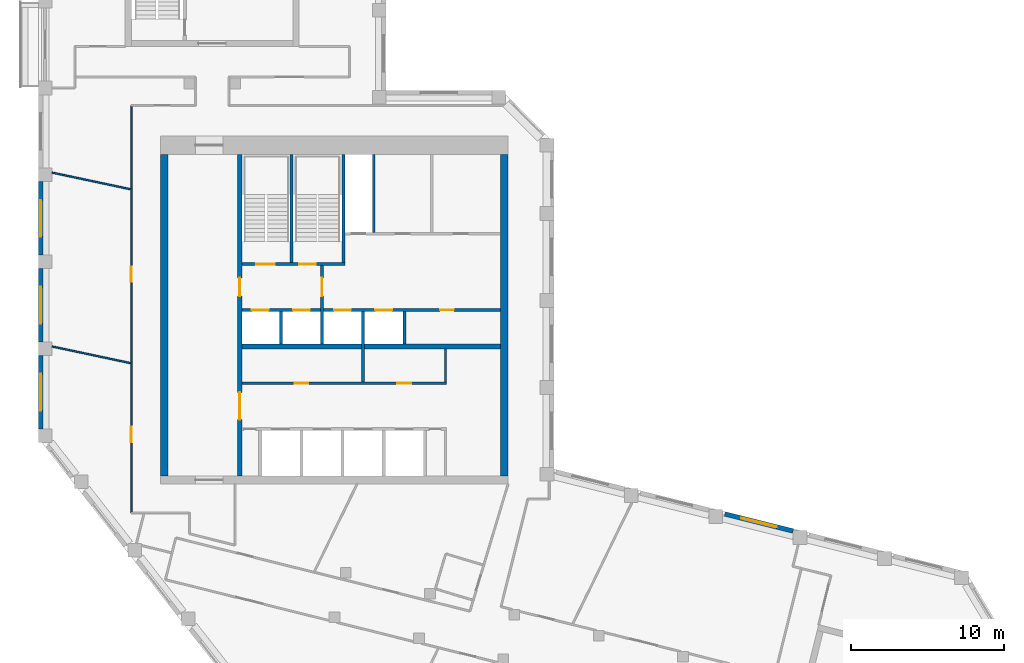
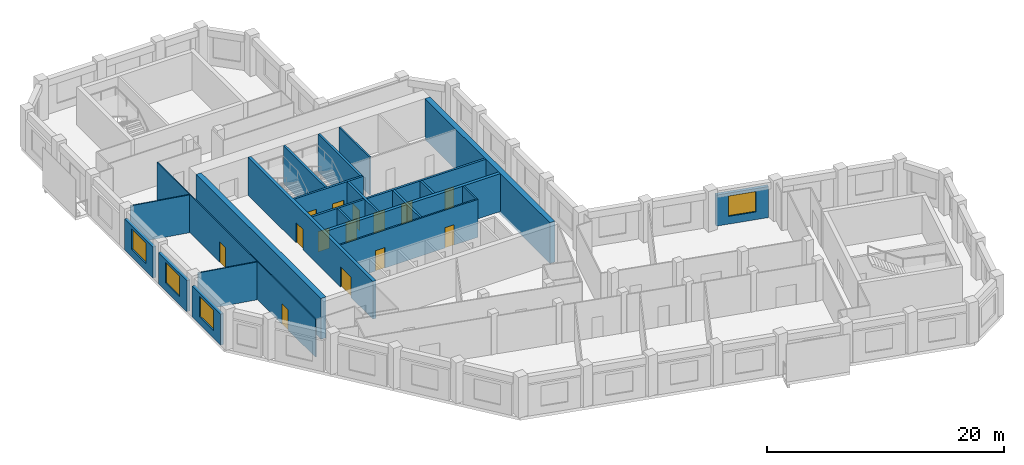
# One storey, part 5 of 8: 22 walls, 14 doors, 4 windows, 18 openings.
"""IFC4 building model written with IfcOpenShell, lengths in metres."""

from ifc_helpers import new_model, si_unit, direction, frame, frame_2d, origin, place, context, subcontext, project, spatial, rectangle, extrude, material, layer, layer_set, type_object, element, fill, save


model = new_model("IFC4")

# Units and contexts
model_context = context("Model", 3, precision=1e-05, world=origin(), true_north=direction((0.0, 1.0)))
body_context = subcontext(model_context, "Body", "Model", "MODEL_VIEW")
ifc_project = project(units=[si_unit("LENGTHUNIT", "METRE"), si_unit("AREAUNIT", "SQUARE_METRE"), si_unit("VOLUMEUNIT", "CUBIC_METRE"), si_unit("PLANEANGLEUNIT", "RADIAN"), si_unit("MASSUNIT", "GRAM", prefix="KILO")], contexts=[model_context])

# Site, building, storey
site_placement = place(None, origin())
site = spatial("IfcSite", under=ifc_project, at=site_placement, CompositionType="ELEMENT")
building_placement = place(site_placement, origin())
building = spatial("IfcBuilding", under=site, at=building_placement, Name="Meshkara Civic Tower", CompositionType="ELEMENT")
storey_placement = place(building_placement, frame((0.0, 0.0, 375.0)))
storey = spatial("IfcBuildingStorey", under=building, at=storey_placement, Name="L86", CompositionType="ELEMENT", Elevation=375.0)

# Wall, openings, doors
ifc_material_1 = material(Name="Blockwork", Category="masonry")
ifc_layer_1 = layer(ifc_material_1, 0.14990234375)
ifc_layer_set_1 = layer_set([ifc_layer_1], Name="Core partition 150")
wall_type_1 = type_object("IfcWallType", Name="Core partition 150", PredefinedType="PARTITIONING", material=ifc_layer_set_1)
wall_1_placement = place(storey_placement, frame((13.35009765625, 20.699951171875, 0.0), z_axis=(0.0, 0.0, 1.0), x_axis=(1.0, 0.0, 0.0)))
wall_1 = element("IfcWall", 1, at=wall_1_placement, inside=storey, type_object=wall_type_1, Name="L86-C006", PredefinedType="PARTITIONING", context=body_context, shape_type="SweptSolid", body=[
    extrude(rectangle(XDim=13.4248046875, YDim=0.14990234375, at=frame_2d((6.71240234375, 0.0))), origin(), (0.0, 0.0, 1.0), 3.89990234375),
])
opening_1_placement = place(wall_1_placement, frame((3.449951171875, 0.0, 0.0)))
opening_1 = element("IfcOpeningElement", 2, at=opening_1_placement, cuts=wall_1, Name="Opening L86-K011", PredefinedType="OPENING", context=body_context, shape_type="SweptSolid", body=[
    extrude(rectangle(XDim=0.89990234375, YDim=2.10009765625, at=frame_2d((0.449951171875, 1.050048828125))), frame((0.0, 0.0849609375, 0.0), z_axis=(0.0, -1.0, 0.0), x_axis=(1.0, 0.0, 0.0)), (0.0, 0.0, 1.0), 0.169921875),
])
opening_2_placement = place(wall_1_placement, frame((10.199951171875, 0.0, 0.0)))
opening_2 = element("IfcOpeningElement", 3, at=opening_2_placement, cuts=wall_1, Name="Opening L86-K012", PredefinedType="OPENING", context=body_context, shape_type="SweptSolid", body=[
    extrude(rectangle(XDim=0.89990234375, YDim=2.10009765625, at=frame_2d((0.449951171875, 1.050048828125))), frame((0.0, 0.0849609375, 0.0), z_axis=(0.0, -1.0, 0.0), x_axis=(1.0, 0.0, 0.0)), (0.0, 0.0, 1.0), 0.169921875),
])
ifc_material_2 = material(Name="Timber door leaf in steel frame", Category="steel")
door_type_1 = type_object("IfcDoorType", Name="Core room door 900", OperationType="SINGLE_SWING_LEFT", PredefinedType="DOOR", material=ifc_material_2)
door_1_placement = place(opening_1_placement, origin())
door_1 = element("IfcDoor", 4, at=door_1_placement, inside=storey, type_object=door_type_1, Name="L86-K011", OperationType="SINGLE_SWING_RIGHT", OverallHeight=2.10009765625, OverallWidth=0.89990234375, PredefinedType="DOOR", context=body_context, shape_type="SweptSolid", body=[
    extrude(rectangle(XDim=0.89990234375, YDim=2.10009765625, at=frame_2d((0.449951171875, 1.050048828125))), frame((0.0, 0.02490234375, 0.0), z_axis=(0.0, -1.0, 0.0), x_axis=(1.0, 0.0, 0.0)), (0.0, 0.0, 1.0), 0.050048828125),
])
fill(opening_1, door_1)
door_2_placement = place(opening_2_placement, origin())
door_2 = element("IfcDoor", 5, at=door_2_placement, inside=storey, type_object=door_type_1, Name="L86-K012", OperationType="SINGLE_SWING_RIGHT", OverallHeight=2.10009765625, OverallWidth=0.89990234375, PredefinedType="DOOR", context=body_context, shape_type="SweptSolid", body=[
    extrude(rectangle(XDim=0.89990234375, YDim=2.10009765625, at=frame_2d((0.449951171875, 1.050048828125))), frame((0.0, 0.02490234375, 0.0), z_axis=(0.0, -1.0, 0.0), x_axis=(1.0, 0.0, 0.0)), (0.0, 0.0, 1.0), 0.050048828125),
])
fill(opening_2, door_2)

# Walls
wall_2_placement = place(storey_placement, frame((22.0, 30.574951171875, 0.0), z_axis=(0.0, 0.0, 1.0), x_axis=(0.0, 1.0, 0.0)))
element("IfcWall", 6, at=wall_2_placement, inside=storey, type_object=wall_type_1, Name="L86-C020", PredefinedType="PARTITIONING", context=body_context, shape_type="SweptSolid", body=[
    extrude(rectangle(XDim=5.125, YDim=0.14990234375, at=frame_2d((2.5625, 0.0))), origin(), (0.0, 0.0, 1.0), 3.89990234375),
])
wall_3_placement = place(storey_placement, frame((26.699951171875, 20.77490234375, 0.0), z_axis=(0.0, 0.0, 1.0), x_axis=(0.0, 1.0, 0.0)))
element("IfcWall", 7, at=wall_3_placement, inside=storey, type_object=wall_type_1, Name="L86-C026", PredefinedType="PARTITIONING", context=body_context, shape_type="SweptSolid", body=[
    extrude(rectangle(XDim=2.175048828125, YDim=0.14990234375, at=frame_2d((1.08740234375, 0.0))), origin(), (0.0, 0.0, 1.0), 3.89990234375),
])
ifc_material_3 = material(Name="Concrete C50", Category="concrete")
ifc_layer_2 = layer(ifc_material_3, 0.5)
ifc_layer_set_2 = layer_set([ifc_layer_2], Name="Core ring wall 500 C50")
wall_type_2 = type_object("IfcWallType", Name="Core ring wall 500 C50", PredefinedType="SHEAR", material=ifc_layer_set_2)
for number, where, z_axis, x_axis, name in (
    (8, (8.25, 14.60009765625, -0.300048828125), (0.0, 0.0, 1.0), (0.0, 1.0, 0.0), "L86-C003"),
    (9, (30.550048828125, 14.60009765625, -0.300048828125), (0.0, 0.0, 1.0), (0.0, 1.0, 0.0), "L86-C004"),
):
    element("IfcWall", number, at=place(storey_placement, frame(where, z_axis=z_axis, x_axis=x_axis)), inside=storey, type_object=wall_type_2, Name=name, PredefinedType="SHEAR", context=body_context, shape_type="SweptSolid", body=[
        extrude(rectangle(XDim=21.099853515625, YDim=0.5, at=frame_2d((10.5498046875, 0.0))), origin(), (0.0, 0.0, 1.0), 4.199951171875),
    ])
ifc_material_4 = material(Name="Concrete C50", Category="concrete")
ifc_layer_3 = layer(ifc_material_4, 0.300048828125)
ifc_layer_set_3 = layer_set([ifc_layer_3], Name="Core shear wall 300 C50")
wall_type_3 = type_object("IfcWallType", Name="Core shear wall 300 C50", PredefinedType="SHEAR", material=ifc_layer_set_3)
wall_4_placement = place(storey_placement, frame((13.35009765625, 23.10009765625, 0.0), z_axis=(0.0, 0.0, 1.0), x_axis=(1.0, 0.0, 0.0)))
element("IfcWall", 10, at=wall_4_placement, inside=storey, type_object=wall_type_3, Name="L86-C007", PredefinedType="SHEAR", context=body_context, shape_type="SweptSolid", body=[
    extrude(rectangle(XDim=16.949951171875, YDim=0.300048828125, at=frame_2d((8.47509765625, 0.0))), origin(), (0.0, 0.0, 1.0), 3.89990234375),
])

# Wall, openings, doors
wall_5_placement = place(storey_placement, frame((13.199951171875, 14.60009765625, 0.0), z_axis=(0.0, 0.0, 1.0), x_axis=(0.0, 1.0, 0.0)))
wall_5 = element("IfcWall", 11, at=wall_5_placement, inside=storey, type_object=wall_type_3, Name="L86-C011", PredefinedType="SHEAR", context=body_context, shape_type="SweptSolid", body=[
    extrude(rectangle(XDim=21.099853515625, YDim=0.300048828125, at=frame_2d((10.5498046875, 0.0))), origin(), (0.0, 0.0, 1.0), 3.89990234375),
])
opening_3_placement = place(wall_5_placement, frame((3.699951171875, 0.0, 0.0)))
opening_3 = element("IfcOpeningElement", 12, at=opening_3_placement, cuts=wall_5, Name="Opening L86-K019", PredefinedType="OPENING", context=body_context, shape_type="SweptSolid", body=[
    extrude(rectangle(XDim=1.800048828125, YDim=2.10009765625, at=frame_2d((0.89990234375, 1.050048828125))), frame((0.0, 0.159912109375, 0.0), z_axis=(0.0, -1.0, 0.0), x_axis=(1.0, 0.0, 0.0)), (0.0, 0.0, 1.0), 0.320068359375),
])
opening_4_placement = place(wall_5_placement, frame((11.800048828125, 0.0, 0.0)))
opening_4 = element("IfcOpeningElement", 13, at=opening_4_placement, cuts=wall_5, Name="Opening L86-K020", PredefinedType="OPENING", context=body_context, shape_type="SweptSolid", body=[
    extrude(rectangle(XDim=1.199951171875, YDim=2.10009765625, at=frame_2d((0.60009765625, 1.050048828125))), frame((0.0, 0.159912109375, 0.0), z_axis=(0.0, -1.0, 0.0), x_axis=(1.0, 0.0, 0.0)), (0.0, 0.0, 1.0), 0.320068359375),
])
ifc_material_5 = material(Name="Fire-rated door leaf in steel frame", Category="steel")
door_type_2 = type_object("IfcDoorType", Name="Core double door 1800 EI 60", OperationType="DOUBLE_DOOR_SINGLE_SWING", PredefinedType="DOOR", material=ifc_material_5)
door_3_placement = place(opening_3_placement, origin())
door_3 = element("IfcDoor", 14, at=door_3_placement, inside=storey, type_object=door_type_2, Name="L86-K019", OperationType="DOUBLE_DOOR_SINGLE_SWING", OverallHeight=2.10009765625, OverallWidth=1.800048828125, PredefinedType="DOOR", context=body_context, shape_type="SweptSolid", body=[
    extrude(rectangle(XDim=1.800048828125, YDim=2.10009765625, at=frame_2d((0.89990234375, 1.050048828125))), frame((0.0, 0.02490234375, 0.0), z_axis=(0.0, -1.0, 0.0), x_axis=(1.0, 0.0, 0.0)), (0.0, 0.0, 1.0), 0.050048828125),
])
fill(opening_3, door_3)
ifc_material_6 = material(Name="Fire-rated door leaf in steel frame", Category="steel")
door_type_3 = type_object("IfcDoorType", Name="Fire-fighting lobby door 1200 EI 120", OperationType="SINGLE_SWING_LEFT", PredefinedType="DOOR", material=ifc_material_6)
door_4_placement = place(opening_4_placement, origin())
door_4 = element("IfcDoor", 15, at=door_4_placement, inside=storey, type_object=door_type_3, Name="L86-K020", OperationType="SINGLE_SWING_LEFT", OverallHeight=2.10009765625, OverallWidth=1.199951171875, PredefinedType="DOOR", context=body_context, shape_type="SweptSolid", body=[
    extrude(rectangle(XDim=1.199951171875, YDim=2.10009765625, at=frame_2d((0.60009765625, 1.050048828125))), frame((0.0, 0.02490234375, 0.0), z_axis=(0.0, -1.0, 0.0), x_axis=(1.0, 0.0, 0.0)), (0.0, 0.0, 1.0), 0.050048828125),
])
fill(opening_4, door_4)

ifc_material_7 = material(Name="Corridor wall 100")
ifc_layer_4 = layer(ifc_material_7, 0.10009765625)
ifc_layer_set_4 = layer_set([ifc_layer_4], Name="Corridor wall 100")
wall_type_4 = type_object("IfcWallType", Name="Corridor wall 100", PredefinedType="PARTITIONING", material=ifc_layer_set_4)
wall_6_placement = place(storey_placement, frame((6.10009765625, 38.89990234375, 0.0), z_axis=(0.0, 0.0, 1.0), x_axis=(0.0, -1.0, 0.0)))
wall_6 = element("IfcWall", 16, at=wall_6_placement, inside=storey, type_object=wall_type_4, Name="L86-W005", PredefinedType="PARTITIONING", context=body_context, shape_type="SweptSolid", body=[
    extrude(rectangle(XDim=26.699951171875, YDim=0.10009765625, at=frame_2d((13.35009765625, 0.0))), origin(), (0.0, 0.0, 1.0), 3.89990234375),
])
opening_5_placement = place(wall_6_placement, frame((21.068115234375, 0.0, 0.0)))
opening_5 = element("IfcOpeningElement", 17, at=opening_5_placement, cuts=wall_6, Name="Opening L86-D012", PredefinedType="OPENING", context=body_context, shape_type="SweptSolid", body=[
    extrude(rectangle(XDim=1.0, YDim=2.10009765625, at=frame_2d((0.5, 1.050048828125))), frame((0.0, 0.06005859375, 0.0), z_axis=(0.0, -1.0, 0.0), x_axis=(1.0, 0.0, 0.0)), (0.0, 0.0, 1.0), 0.1201171875),
])
opening_6_placement = place(wall_6_placement, frame((10.568115234375, 0.0, 0.0)))
opening_6 = element("IfcOpeningElement", 18, at=opening_6_placement, cuts=wall_6, Name="Opening L86-D013", PredefinedType="OPENING", context=body_context, shape_type="SweptSolid", body=[
    extrude(rectangle(XDim=1.0, YDim=2.10009765625, at=frame_2d((0.5, 1.050048828125))), frame((0.0, 0.06005859375, 0.0), z_axis=(0.0, -1.0, 0.0), x_axis=(1.0, 0.0, 0.0)), (0.0, 0.0, 1.0), 0.1201171875),
])
ifc_material_8 = material(Name="Door 1000 x 2100")
door_type_4 = type_object("IfcDoorType", Name="Door 1000 x 2100", OperationType="SINGLE_SWING_LEFT", PredefinedType="DOOR", material=ifc_material_8)
door_5_placement = place(opening_5_placement, origin())
door_5 = element("IfcDoor", 19, at=door_5_placement, inside=storey, type_object=door_type_4, Name="L86-D012", OperationType="SINGLE_SWING_RIGHT", OverallHeight=2.10009765625, OverallWidth=1.0, PredefinedType="DOOR", context=body_context, shape_type="SweptSolid", body=[
    extrude(rectangle(XDim=1.0, YDim=2.10009765625, at=frame_2d((0.5, 1.050048828125))), frame((0.0, 0.02490234375, 0.0), z_axis=(0.0, -1.0, 0.0), x_axis=(1.0, 0.0, 0.0)), (0.0, 0.0, 1.0), 0.050048828125),
])
fill(opening_5, door_5)
door_6_placement = place(opening_6_placement, origin())
door_6 = element("IfcDoor", 20, at=door_6_placement, inside=storey, type_object=door_type_4, Name="L86-D013", OperationType="SINGLE_SWING_RIGHT", OverallHeight=2.10009765625, OverallWidth=1.0, PredefinedType="DOOR", context=body_context, shape_type="SweptSolid", body=[
    extrude(rectangle(XDim=1.0, YDim=2.10009765625, at=frame_2d((0.5, 1.050048828125))), frame((0.0, 0.02490234375, 0.0), z_axis=(0.0, -1.0, 0.0), x_axis=(1.0, 0.0, 0.0)), (0.0, 0.0, 1.0), 0.050048828125),
])
fill(opening_6, door_6)

# Wall, opening, window
ifc_material_9 = material(Name="Insulated infill panel with bronze anodised aluminium cladding", Category="aluminium")
ifc_layer_5 = layer(ifc_material_9, 0.300048828125)
ifc_layer_set_5 = layer_set([ifc_layer_5], Name="EXTERNAL INFILL WALL 300")
wall_type_5 = type_object("IfcWallType", Name="EXTERNAL INFILL WALL 300", PredefinedType="SOLIDWALL", material=ifc_layer_set_5)
wall_7_placement = place(storey_placement, frame((49.485107421875, 11.0048828125, 0.0), z_axis=(0.0, 0.0, 1.0), x_axis=(-0.970235897967, 0.242161727563, 0.0)))
wall_7 = element("IfcWall", 21, at=wall_7_placement, inside=storey, type_object=wall_type_5, Name="External wall", PredefinedType="SOLIDWALL", context=body_context, shape_type="SweptSolid", body=[
    extrude(rectangle(XDim=4.609375, YDim=0.300048828125, at=frame_2d((2.3046875, 0.0))), origin(), (0.0, 0.0, 1.0), 3.199951171875),
])
opening_7_placement = place(wall_7_placement, frame((1.10498046875, 0.0, 0.800048828125)))
opening_7 = element("IfcOpeningElement", 22, at=opening_7_placement, cuts=wall_7, Name="Opening W7", PredefinedType="OPENING", context=body_context, shape_type="SweptSolid", body=[
    extrude(rectangle(XDim=2.39990234375, YDim=2.10009765625, at=frame_2d((1.199951171875, 1.050048828125))), frame((0.0, 0.159912109375, 0.0), z_axis=(0.0, -1.0, 0.0), x_axis=(1.0, 0.0, 0.0)), (0.0, 0.0, 1.0), 0.320068359375),
])
ifc_material_10 = material(Name="Tinted double glazing", Category="glass")
window_type = type_object("IfcWindowType", Name="WINDOW 2400x2100", PartitioningType="DOUBLE_PANEL_VERTICAL", PredefinedType="WINDOW", material=ifc_material_10)
window_1_placement = place(opening_7_placement, origin())
window_1 = element("IfcWindow", 23, at=window_1_placement, inside=storey, type_object=window_type, Name="Window", OverallHeight=2.10009765625, OverallWidth=2.39990234375, PartitioningType="DOUBLE_PANEL_VERTICAL", PredefinedType="WINDOW", context=body_context, shape_type="SweptSolid", body=[
    extrude(rectangle(XDim=2.39990234375, YDim=2.10009765625, at=frame_2d((1.199951171875, 1.050048828125))), frame((0.0, 0.030029296875, 0.0), z_axis=(0.0, -1.0, 0.0), x_axis=(1.0, 0.0, 0.0)), (0.0, 0.0, 1.0), 0.06005859375),
])
fill(opening_7, window_1)

wall_8_placement = place(storey_placement, frame((0.14990234375, 33.905029296875, 0.0), z_axis=(0.0, 0.0, 1.0), x_axis=(0.0, -1.0, 0.0)))
wall_8 = element("IfcWall", 24, at=wall_8_placement, inside=storey, type_object=wall_type_5, Name="External wall", PredefinedType="SOLIDWALL", context=body_context, shape_type="SweptSolid", body=[
    extrude(rectangle(XDim=4.800048828125, YDim=0.300048828125, at=frame_2d((2.39990234375, 0.0))), origin(), (0.0, 0.0, 1.0), 3.199951171875),
])
opening_8_placement = place(wall_8_placement, frame((1.199951171875, 0.0, 0.800048828125)))
opening_8 = element("IfcOpeningElement", 25, at=opening_8_placement, cuts=wall_8, Name="Opening W7", PredefinedType="OPENING", context=body_context, shape_type="SweptSolid", body=[
    extrude(rectangle(XDim=2.39990234375, YDim=2.10009765625, at=frame_2d((1.199951171875, 1.050048828125))), frame((0.0, 0.159912109375, 0.0), z_axis=(0.0, -1.0, 0.0), x_axis=(1.0, 0.0, 0.0)), (0.0, 0.0, 1.0), 0.320068359375),
])
window_2_placement = place(opening_8_placement, origin())
window_2 = element("IfcWindow", 26, at=window_2_placement, inside=storey, type_object=window_type, Name="Window", OverallHeight=2.10009765625, OverallWidth=2.39990234375, PartitioningType="DOUBLE_PANEL_VERTICAL", PredefinedType="WINDOW", context=body_context, shape_type="SweptSolid", body=[
    extrude(rectangle(XDim=2.39990234375, YDim=2.10009765625, at=frame_2d((1.199951171875, 1.050048828125))), frame((0.0, 0.030029296875, 0.0), z_axis=(0.0, -1.0, 0.0), x_axis=(1.0, 0.0, 0.0)), (0.0, 0.0, 1.0), 0.06005859375),
])
fill(opening_8, window_2)

wall_9_placement = place(storey_placement, frame((0.14990234375, 28.205078125, 0.0), z_axis=(0.0, 0.0, 1.0), x_axis=(0.0, -1.0, 0.0)))
wall_9 = element("IfcWall", 27, at=wall_9_placement, inside=storey, type_object=wall_type_5, Name="External wall", PredefinedType="SOLIDWALL", context=body_context, shape_type="SweptSolid", body=[
    extrude(rectangle(XDim=4.800048828125, YDim=0.300048828125, at=frame_2d((2.39990234375, 0.0))), origin(), (0.0, 0.0, 1.0), 3.199951171875),
])
opening_9_placement = place(wall_9_placement, frame((1.199951171875, 0.0, 0.800048828125)))
opening_9 = element("IfcOpeningElement", 28, at=opening_9_placement, cuts=wall_9, Name="Opening W7", PredefinedType="OPENING", context=body_context, shape_type="SweptSolid", body=[
    extrude(rectangle(XDim=2.39990234375, YDim=2.10009765625, at=frame_2d((1.199951171875, 1.050048828125))), frame((0.0, 0.159912109375, 0.0), z_axis=(0.0, -1.0, 0.0), x_axis=(1.0, 0.0, 0.0)), (0.0, 0.0, 1.0), 0.320068359375),
])
window_3_placement = place(opening_9_placement, origin())
window_3 = element("IfcWindow", 29, at=window_3_placement, inside=storey, type_object=window_type, Name="Window", OverallHeight=2.10009765625, OverallWidth=2.39990234375, PartitioningType="DOUBLE_PANEL_VERTICAL", PredefinedType="WINDOW", context=body_context, shape_type="SweptSolid", body=[
    extrude(rectangle(XDim=2.39990234375, YDim=2.10009765625, at=frame_2d((1.199951171875, 1.050048828125))), frame((0.0, 0.030029296875, 0.0), z_axis=(0.0, -1.0, 0.0), x_axis=(1.0, 0.0, 0.0)), (0.0, 0.0, 1.0), 0.06005859375),
])
fill(opening_9, window_3)

wall_10_placement = place(storey_placement, frame((0.14990234375, 22.5048828125, 0.0), z_axis=(0.0, 0.0, 1.0), x_axis=(0.0, -1.0, 0.0)))
wall_10 = element("IfcWall", 30, at=wall_10_placement, inside=storey, type_object=wall_type_5, Name="External wall", PredefinedType="SOLIDWALL", context=body_context, shape_type="SweptSolid", body=[
    extrude(rectangle(XDim=4.7998046875, YDim=0.300048828125, at=frame_2d((2.39990234375, 0.0))), origin(), (0.0, 0.0, 1.0), 3.199951171875),
])
opening_10_placement = place(wall_10_placement, frame((1.199951171875, 0.0, 0.800048828125)))
opening_10 = element("IfcOpeningElement", 31, at=opening_10_placement, cuts=wall_10, Name="Opening W7", PredefinedType="OPENING", context=body_context, shape_type="SweptSolid", body=[
    extrude(rectangle(XDim=2.39990234375, YDim=2.10009765625, at=frame_2d((1.199951171875, 1.050048828125))), frame((0.0, 0.159912109375, 0.0), z_axis=(0.0, -1.0, 0.0), x_axis=(1.0, 0.0, 0.0)), (0.0, 0.0, 1.0), 0.320068359375),
])
window_4_placement = place(opening_10_placement, origin())
window_4 = element("IfcWindow", 32, at=window_4_placement, inside=storey, type_object=window_type, Name="Window", OverallHeight=2.10009765625, OverallWidth=2.39990234375, PartitioningType="DOUBLE_PANEL_VERTICAL", PredefinedType="WINDOW", context=body_context, shape_type="SweptSolid", body=[
    extrude(rectangle(XDim=2.39990234375, YDim=2.10009765625, at=frame_2d((1.199951171875, 1.050048828125))), frame((0.0, 0.030029296875, 0.0), z_axis=(0.0, -1.0, 0.0), x_axis=(1.0, 0.0, 0.0)), (0.0, 0.0, 1.0), 0.06005859375),
])
fill(opening_10, window_4)

# Walls
ifc_material_11 = material(Name="Partition 100")
ifc_layer_6 = layer(ifc_material_11, 0.10009765625)
ifc_layer_set_6 = layer_set([ifc_layer_6], Name="Partition 100")
wall_type_6 = type_object("IfcWallType", Name="Partition 100", PredefinedType="PARTITIONING", material=ifc_layer_set_6)
for number, where, z_axis, x_axis, name in (
    (33, (6.0400390625, 22.011962890625, 0.0), (0.0, 0.0, 1.0), (-0.978168059991, 0.207815414284, 0.0), "L86-W040"),
    (34, (6.0400390625, 33.412109375, 0.0), (0.0, 0.0, 1.0), (-0.978177503379, 0.207770960155, 0.0), "L86-W041"),
):
    element("IfcWall", number, at=place(storey_placement, frame(where, z_axis=z_axis, x_axis=x_axis)), inside=storey, type_object=wall_type_6, Name=name, PredefinedType="PARTITIONING", context=body_context, shape_type="SweptSolid", body=[
        extrude(rectangle(XDim=5.2548828125, YDim=0.10009765625, at=frame_2d((2.62744140625, 0.0))), origin(), (0.0, 0.0, 1.0), 3.89990234375),
    ])

# Wall, openings, doors
ifc_material_12 = material(Name="Concrete C40/50", Category="concrete")
ifc_layer_7 = layer(ifc_material_12, 0.199951171875)
ifc_layer_set_7 = layer_set([ifc_layer_7], Name="Shaft wall 200 C40/50")
wall_type_7 = type_object("IfcWallType", Name="Shaft wall 200 C40/50", PredefinedType="SOLIDWALL", material=ifc_layer_set_7)
wall_11_placement = place(storey_placement, frame((13.35009765625, 25.5, 0.0), z_axis=(0.0, 0.0, 1.0), x_axis=(1.0, 0.0, 0.0)))
wall_11 = element("IfcWall", 35, at=wall_11_placement, inside=storey, type_object=wall_type_7, Name="L86-C008", PredefinedType="SOLIDWALL", context=body_context, shape_type="SweptSolid", body=[
    extrude(rectangle(XDim=16.949951171875, YDim=0.199951171875, at=frame_2d((8.47509765625, 0.0))), origin(), (0.0, 0.0, 1.0), 3.89990234375),
])
opening_11_placement = place(wall_11_placement, frame((0.64990234375, 0.0, 0.0)))
opening_11 = element("IfcOpeningElement", 36, at=opening_11_placement, cuts=wall_11, Name="Opening L86-K005", PredefinedType="OPENING", context=body_context, shape_type="SweptSolid", body=[
    extrude(rectangle(XDim=1.10009765625, YDim=2.10009765625, at=frame_2d((0.550048828125, 1.050048828125))), frame((0.0, 0.10986328125, 0.0), z_axis=(0.0, -1.0, 0.0), x_axis=(1.0, 0.0, 0.0)), (0.0, 0.0, 1.0), 0.219970703125),
])
opening_12_placement = place(wall_11_placement, frame((3.35009765625, 0.0, 0.0)))
opening_12 = element("IfcOpeningElement", 37, at=opening_12_placement, cuts=wall_11, Name="Opening L86-K006", PredefinedType="OPENING", context=body_context, shape_type="SweptSolid", body=[
    extrude(rectangle(XDim=1.10009765625, YDim=2.10009765625, at=frame_2d((0.550048828125, 1.050048828125))), frame((0.0, 0.10986328125, 0.0), z_axis=(0.0, -1.0, 0.0), x_axis=(1.0, 0.0, 0.0)), (0.0, 0.0, 1.0), 0.219970703125),
])
opening_13_placement = place(wall_11_placement, frame((6.050048828125, 0.0, 0.0)))
opening_13 = element("IfcOpeningElement", 38, at=opening_13_placement, cuts=wall_11, Name="Opening L86-K007", PredefinedType="OPENING", context=body_context, shape_type="SweptSolid", body=[
    extrude(rectangle(XDim=1.10009765625, YDim=2.10009765625, at=frame_2d((0.550048828125, 1.050048828125))), frame((0.0, 0.10986328125, 0.0), z_axis=(0.0, -1.0, 0.0), x_axis=(1.0, 0.0, 0.0)), (0.0, 0.0, 1.0), 0.219970703125),
])
opening_14_placement = place(wall_11_placement, frame((8.75, 0.0, 0.0)))
opening_14 = element("IfcOpeningElement", 39, at=opening_14_placement, cuts=wall_11, Name="Opening L86-K008", PredefinedType="OPENING", context=body_context, shape_type="SweptSolid", body=[
    extrude(rectangle(XDim=1.10009765625, YDim=2.10009765625, at=frame_2d((0.550048828125, 1.050048828125))), frame((0.0, 0.10986328125, 0.0), z_axis=(0.0, -1.0, 0.0), x_axis=(1.0, 0.0, 0.0)), (0.0, 0.0, 1.0), 0.219970703125),
])
opening_15_placement = place(wall_11_placement, frame((13.0, 0.0, 0.0)))
opening_15 = element("IfcOpeningElement", 40, at=opening_15_placement, cuts=wall_11, Name="Opening L86-K013", PredefinedType="OPENING", context=body_context, shape_type="SweptSolid", body=[
    extrude(rectangle(XDim=0.89990234375, YDim=2.10009765625, at=frame_2d((0.449951171875, 1.050048828125))), frame((0.0, 0.10986328125, 0.0), z_axis=(0.0, -1.0, 0.0), x_axis=(1.0, 0.0, 0.0)), (0.0, 0.0, 1.0), 0.219970703125),
])
door_7_placement = place(opening_15_placement, origin())
door_7 = element("IfcDoor", 41, at=door_7_placement, inside=storey, type_object=door_type_1, Name="L86-K013", OperationType="SINGLE_SWING_LEFT", OverallHeight=2.10009765625, OverallWidth=0.89990234375, PredefinedType="DOOR", context=body_context, shape_type="SweptSolid", body=[
    extrude(rectangle(XDim=0.89990234375, YDim=2.10009765625, at=frame_2d((0.449951171875, 1.050048828125))), frame((0.0, 0.02490234375, 0.0), z_axis=(0.0, -1.0, 0.0), x_axis=(1.0, 0.0, 0.0)), (0.0, 0.0, 1.0), 0.050048828125),
])
fill(opening_15, door_7)
ifc_material_13 = material(Name="Stainless steel landing door", Category="steel")
door_type_5 = type_object("IfcDoorType", Name="Lift landing door 1100", OperationType="SLIDING_TO_LEFT", PredefinedType="DOOR", material=ifc_material_13)
door_8_placement = place(opening_11_placement, origin())
door_8 = element("IfcDoor", 42, at=door_8_placement, inside=storey, type_object=door_type_5, Name="L86-K005", OperationType="SLIDING_TO_LEFT", OverallHeight=2.10009765625, OverallWidth=1.10009765625, PredefinedType="DOOR", context=body_context, shape_type="SweptSolid", body=[
    extrude(rectangle(XDim=1.10009765625, YDim=2.10009765625, at=frame_2d((0.550048828125, 1.050048828125))), frame((0.0, 0.02490234375, 0.0), z_axis=(0.0, -1.0, 0.0), x_axis=(1.0, 0.0, 0.0)), (0.0, 0.0, 1.0), 0.050048828125),
])
fill(opening_11, door_8)
door_9_placement = place(opening_12_placement, origin())
door_9 = element("IfcDoor", 43, at=door_9_placement, inside=storey, type_object=door_type_5, Name="L86-K006", OperationType="SLIDING_TO_LEFT", OverallHeight=2.10009765625, OverallWidth=1.10009765625, PredefinedType="DOOR", context=body_context, shape_type="SweptSolid", body=[
    extrude(rectangle(XDim=1.10009765625, YDim=2.10009765625, at=frame_2d((0.550048828125, 1.050048828125))), frame((0.0, 0.02490234375, 0.0), z_axis=(0.0, -1.0, 0.0), x_axis=(1.0, 0.0, 0.0)), (0.0, 0.0, 1.0), 0.050048828125),
])
fill(opening_12, door_9)
door_10_placement = place(opening_13_placement, origin())
door_10 = element("IfcDoor", 44, at=door_10_placement, inside=storey, type_object=door_type_5, Name="L86-K007", OperationType="SLIDING_TO_LEFT", OverallHeight=2.10009765625, OverallWidth=1.10009765625, PredefinedType="DOOR", context=body_context, shape_type="SweptSolid", body=[
    extrude(rectangle(XDim=1.10009765625, YDim=2.10009765625, at=frame_2d((0.550048828125, 1.050048828125))), frame((0.0, 0.02490234375, 0.0), z_axis=(0.0, -1.0, 0.0), x_axis=(1.0, 0.0, 0.0)), (0.0, 0.0, 1.0), 0.050048828125),
])
fill(opening_13, door_10)
door_11_placement = place(opening_14_placement, origin())
door_11 = element("IfcDoor", 45, at=door_11_placement, inside=storey, type_object=door_type_5, Name="L86-K008", OperationType="SLIDING_TO_LEFT", OverallHeight=2.10009765625, OverallWidth=1.10009765625, PredefinedType="DOOR", context=body_context, shape_type="SweptSolid", body=[
    extrude(rectangle(XDim=1.10009765625, YDim=2.10009765625, at=frame_2d((0.550048828125, 1.050048828125))), frame((0.0, 0.02490234375, 0.0), z_axis=(0.0, -1.0, 0.0), x_axis=(1.0, 0.0, 0.0)), (0.0, 0.0, 1.0), 0.050048828125),
])
fill(opening_14, door_11)

# Wall
wall_12_placement = place(storey_placement, frame((15.89990234375, 23.25, 0.0), z_axis=(0.0, 0.0, 1.0), x_axis=(0.0, 1.0, 0.0)))
element("IfcWall", 46, at=wall_12_placement, inside=storey, type_object=wall_type_7, Name="L86-C013", PredefinedType="SOLIDWALL", context=body_context, shape_type="SweptSolid", body=[
    extrude(rectangle(XDim=2.14990234375, YDim=0.199951171875, at=frame_2d((1.074951171875, 0.0))), origin(), (0.0, 0.0, 1.0), 3.89990234375),
])

# Wall, opening, door
wall_13_placement = place(storey_placement, frame((18.60009765625, 23.25, 0.0), z_axis=(0.0, 0.0, 1.0), x_axis=(0.0, 1.0, 0.0)))
wall_13 = element("IfcWall", 47, at=wall_13_placement, inside=storey, type_object=wall_type_7, Name="L86-C016", PredefinedType="SOLIDWALL", context=body_context, shape_type="SweptSolid", body=[
    extrude(rectangle(XDim=5.14990234375, YDim=0.199951171875, at=frame_2d((2.574951171875, 0.0))), origin(), (0.0, 0.0, 1.0), 3.89990234375),
])
opening_16_placement = place(wall_13_placement, frame((3.14990234375, 0.0, 0.0)))
opening_16 = element("IfcOpeningElement", 48, at=opening_16_placement, cuts=wall_13, Name="Opening L86-K021", PredefinedType="OPENING", context=body_context, shape_type="SweptSolid", body=[
    extrude(rectangle(XDim=1.199951171875, YDim=2.10009765625, at=frame_2d((0.60009765625, 1.050048828125))), frame((0.0, 0.10986328125, 0.0), z_axis=(0.0, -1.0, 0.0), x_axis=(1.0, 0.0, 0.0)), (0.0, 0.0, 1.0), 0.219970703125),
])
door_12_placement = place(opening_16_placement, origin())
door_12 = element("IfcDoor", 49, at=door_12_placement, inside=storey, type_object=door_type_3, Name="L86-K021", OperationType="SINGLE_SWING_RIGHT", OverallHeight=2.10009765625, OverallWidth=1.199951171875, PredefinedType="DOOR", context=body_context, shape_type="SweptSolid", body=[
    extrude(rectangle(XDim=1.199951171875, YDim=2.10009765625, at=frame_2d((0.60009765625, 1.050048828125))), frame((0.0, 0.02490234375, 0.0), z_axis=(0.0, -1.0, 0.0), x_axis=(1.0, 0.0, 0.0)), (0.0, 0.0, 1.0), 0.050048828125),
])
fill(opening_16, door_12)

# Walls
wall_14_placement = place(storey_placement, frame((21.300048828125, 20.77490234375, 0.0), z_axis=(0.0, 0.0, 1.0), x_axis=(0.0, 1.0, 0.0)))
element("IfcWall", 50, at=wall_14_placement, inside=storey, type_object=wall_type_7, Name="L86-C019", PredefinedType="SOLIDWALL", context=body_context, shape_type="SweptSolid", body=[
    extrude(rectangle(XDim=4.625, YDim=0.199951171875, at=frame_2d((2.3125, 0.0))), origin(), (0.0, 0.0, 1.0), 3.89990234375),
])
wall_15_placement = place(storey_placement, frame((24.0, 23.25, 0.0), z_axis=(0.0, 0.0, 1.0), x_axis=(0.0, 1.0, 0.0)))
element("IfcWall", 51, at=wall_15_placement, inside=storey, type_object=wall_type_7, Name="L86-C022", PredefinedType="SOLIDWALL", context=body_context, shape_type="SweptSolid", body=[
    extrude(rectangle(XDim=2.14990234375, YDim=0.199951171875, at=frame_2d((1.074951171875, 0.0))), origin(), (0.0, 0.0, 1.0), 3.89990234375),
])

# Wall, openings, doors
ifc_material_14 = material(Name="Concrete C40/50", Category="concrete")
ifc_layer_8 = layer(ifc_material_14, 0.199951171875)
ifc_layer_set_8 = layer_set([ifc_layer_8], Name="Stair enclosure wall 200 C40/50")
wall_type_8 = type_object("IfcWallType", Name="Stair enclosure wall 200 C40/50", PredefinedType="SOLIDWALL", material=ifc_layer_set_8)
wall_16_placement = place(storey_placement, frame((13.35009765625, 28.5, 0.0), z_axis=(0.0, 0.0, 1.0), x_axis=(1.0, 0.0, 0.0)))
wall_16 = element("IfcWall", 52, at=wall_16_placement, inside=storey, type_object=wall_type_8, Name="L86-C009", PredefinedType="SOLIDWALL", context=body_context, shape_type="SweptSolid", body=[
    extrude(rectangle(XDim=6.75, YDim=0.199951171875, at=frame_2d((3.375, 0.0))), origin(), (0.0, 0.0, 1.0), 3.89990234375),
])
opening_17_placement = place(wall_16_placement, frame((0.949951171875, 0.0, 0.0)))
opening_17 = element("IfcOpeningElement", 53, at=opening_17_placement, cuts=wall_16, Name="Opening L86-K017", PredefinedType="OPENING", context=body_context, shape_type="SweptSolid", body=[
    extrude(rectangle(XDim=1.199951171875, YDim=2.10009765625, at=frame_2d((0.60009765625, 1.050048828125))), frame((0.0, 0.10986328125, 0.0), z_axis=(0.0, -1.0, 0.0), x_axis=(1.0, 0.0, 0.0)), (0.0, 0.0, 1.0), 0.219970703125),
])
opening_18_placement = place(wall_16_placement, frame((3.75, 0.0, 0.0)))
opening_18 = element("IfcOpeningElement", 54, at=opening_18_placement, cuts=wall_16, Name="Opening L86-K018", PredefinedType="OPENING", context=body_context, shape_type="SweptSolid", body=[
    extrude(rectangle(XDim=1.10009765625, YDim=2.10009765625, at=frame_2d((0.550048828125, 1.050048828125))), frame((0.0, 0.10986328125, 0.0), z_axis=(0.0, -1.0, 0.0), x_axis=(1.0, 0.0, 0.0)), (0.0, 0.0, 1.0), 0.219970703125),
])
ifc_material_15 = material(Name="Fire-rated door leaf in steel frame", Category="steel")
door_type_6 = type_object("IfcDoorType", Name="Stair door 1100 EI 120", OperationType="SINGLE_SWING_LEFT", PredefinedType="DOOR", material=ifc_material_15)
door_13_placement = place(opening_18_placement, origin())
door_13 = element("IfcDoor", 55, at=door_13_placement, inside=storey, type_object=door_type_6, Name="L86-K018", OperationType="SINGLE_SWING_LEFT", OverallHeight=2.10009765625, OverallWidth=1.10009765625, PredefinedType="DOOR", context=body_context, shape_type="SweptSolid", body=[
    extrude(rectangle(XDim=1.10009765625, YDim=2.10009765625, at=frame_2d((0.550048828125, 1.050048828125))), frame((0.0, 0.02490234375, 0.0), z_axis=(0.0, -1.0, 0.0), x_axis=(1.0, 0.0, 0.0)), (0.0, 0.0, 1.0), 0.050048828125),
])
fill(opening_18, door_13)
ifc_material_16 = material(Name="Fire-rated door leaf in steel frame", Category="steel")
door_type_7 = type_object("IfcDoorType", Name="Stair door 1200 EI 120", OperationType="SINGLE_SWING_LEFT", PredefinedType="DOOR", material=ifc_material_16)
door_14_placement = place(opening_17_placement, origin())
door_14 = element("IfcDoor", 56, at=door_14_placement, inside=storey, type_object=door_type_7, Name="L86-K017", OperationType="SINGLE_SWING_RIGHT", OverallHeight=2.10009765625, OverallWidth=1.199951171875, PredefinedType="DOOR", context=body_context, shape_type="SweptSolid", body=[
    extrude(rectangle(XDim=1.199951171875, YDim=2.10009765625, at=frame_2d((0.60009765625, 1.050048828125))), frame((0.0, 0.02490234375, 0.0), z_axis=(0.0, -1.0, 0.0), x_axis=(1.0, 0.0, 0.0)), (0.0, 0.0, 1.0), 0.050048828125),
])
fill(opening_17, door_14)

# Walls
for number, where, z_axis, x_axis, name in (
    (57, (16.60009765625, 28.60009765625, 0.0), (0.0, 0.0, 1.0), (0.0, 1.0, 0.0), "L86-C014"),
    (58, (20.0, 28.60009765625, 0.0), (0.0, 0.0, 1.0), (0.0, 1.0, 0.0), "L86-C018"),
):
    element("IfcWall", number, at=place(storey_placement, frame(where, z_axis=z_axis, x_axis=x_axis)), inside=storey, type_object=wall_type_8, Name=name, PredefinedType="SOLIDWALL", context=body_context, shape_type="SweptSolid", body=[
        extrude(rectangle(XDim=7.099853515625, YDim=0.199951171875, at=frame_2d((3.5498046875, 0.0))), origin(), (0.0, 0.0, 1.0), 3.89990234375),
    ])

save(model, "model.ifc")
